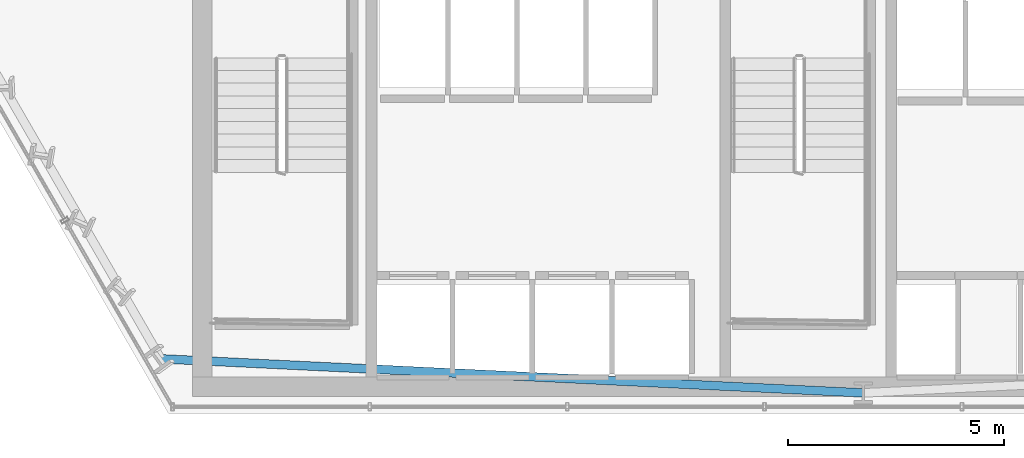
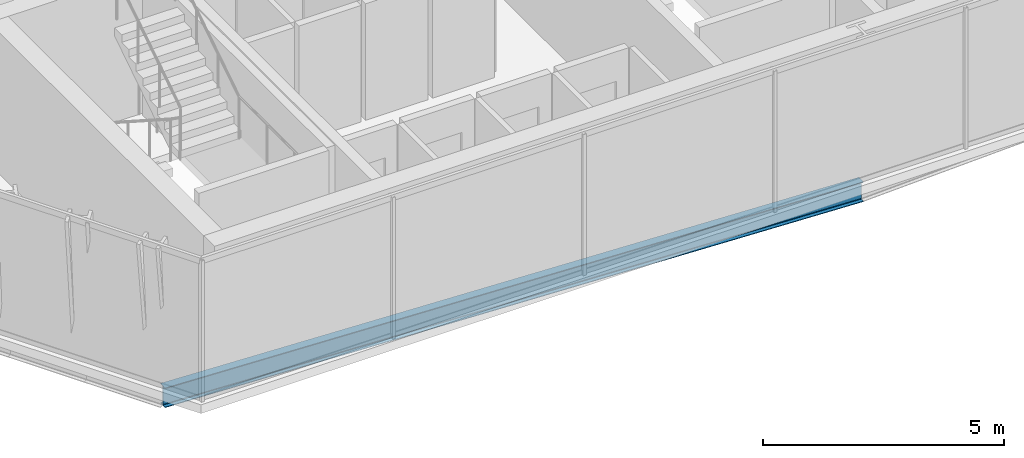
# One storey, part 4 of 32: 1 beam.
"""IFC4 building model written with IfcOpenShell, lengths in metres."""

from ifc_helpers import new_model, si_unit, direction, frame, origin, origin_2d, place, context, subcontext, project, spatial, i_section, extrude, material, material_profile, profile_set, type_object, element, save


model = new_model("IFC4")

# Units and contexts
model_context = context("Model", 3, precision=1e-05, world=origin(), true_north=direction((0.0, 1.0)))
body_context = subcontext(model_context, "Body", "Model", "MODEL_VIEW")
ifc_project = project(units=[si_unit("LENGTHUNIT", "METRE"), si_unit("AREAUNIT", "SQUARE_METRE"), si_unit("VOLUMEUNIT", "CUBIC_METRE"), si_unit("PLANEANGLEUNIT", "RADIAN"), si_unit("MASSUNIT", "GRAM", prefix="KILO")], contexts=[model_context])

# Site, building, storey
site_placement = place(None, origin())
site = spatial("IfcSite", under=ifc_project, at=site_placement, CompositionType="ELEMENT")
building_placement = place(site_placement, origin())
building = spatial("IfcBuilding", under=site, at=building_placement, Name="Ndaravel Arena Tower", CompositionType="ELEMENT")
storey_placement = place(building_placement, frame((0.0, 0.0, 77.800048828125)))
storey = spatial("IfcBuildingStorey", under=building, at=storey_placement, Name="L17", CompositionType="ELEMENT", Elevation=77.800048828125)

# Beam
ifc_material = material(Name="Steel S355", Category="steel")
ifc_material_profile = material_profile(ifc_material, i_section(OverallWidth=0.199951171875, OverallDepth=0.5, WebThickness=0.01025390625, FlangeThickness=0.01611328125, FilletRadius=0.02099609375, at=origin_2d()), Name="IPE 500")
ifc_profile_set = profile_set([ifc_material_profile], Name="Steel S355")
beam_type = type_object("IfcBeamType", Name="BM-SPAN-IPE500", PredefinedType="SPANDREL", material=ifc_profile_set)
beam_placement = place(storey_placement, frame((25.71337890625, 6.2705078125, -0.469970703125), z_axis=(0.99882408685, -0.048481373006, 0.0), x_axis=(0.048481373006, 0.99882408685, 0.0)))
element("IfcBeam", 1, at=beam_placement, inside=storey, type_object=beam_type, Name="L17 Perimeter Spandrel Beam SP-27", PredefinedType="SPANDREL", context=body_context, shape_type="SweptSolid", body=[
    extrude(i_section(OverallWidth=0.199951171875, OverallDepth=0.5, WebThickness=0.01025390625, FlangeThickness=0.01611328125, FilletRadius=0.02099609375, at=origin_2d()), origin(), (0.0, 0.0, 1.0), 16.305908203125),
])

save(model, "model.ifc")
